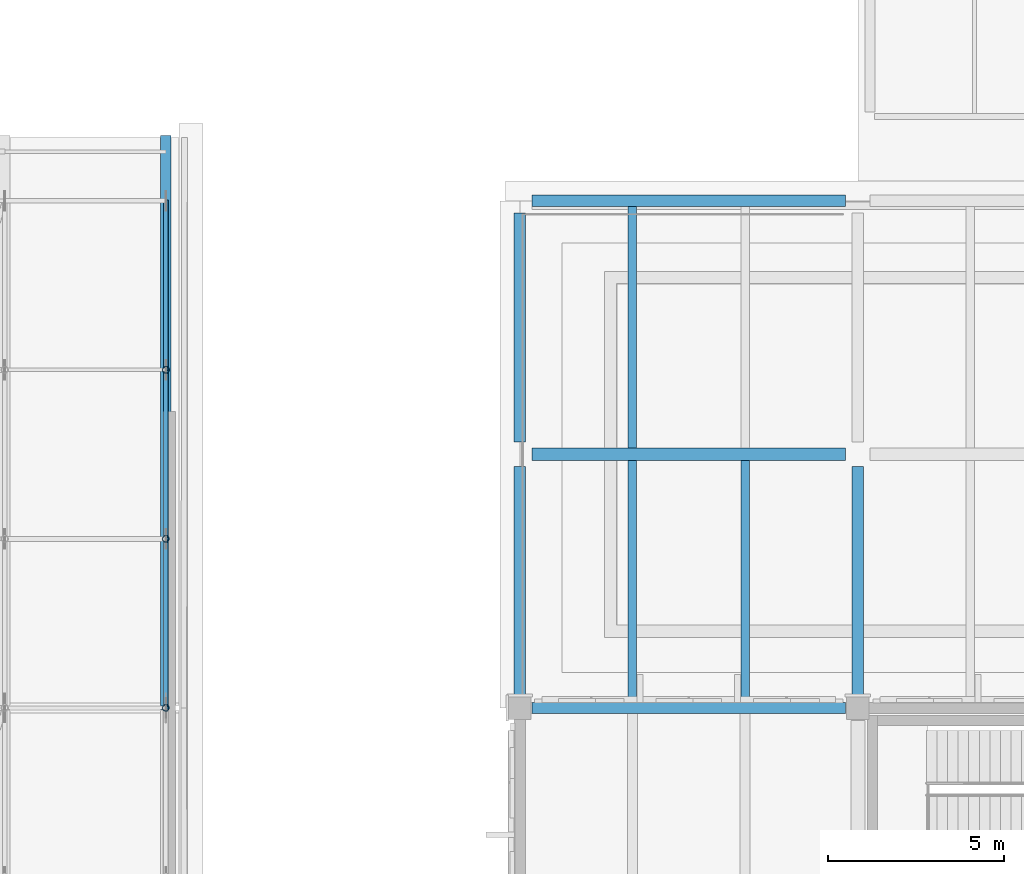
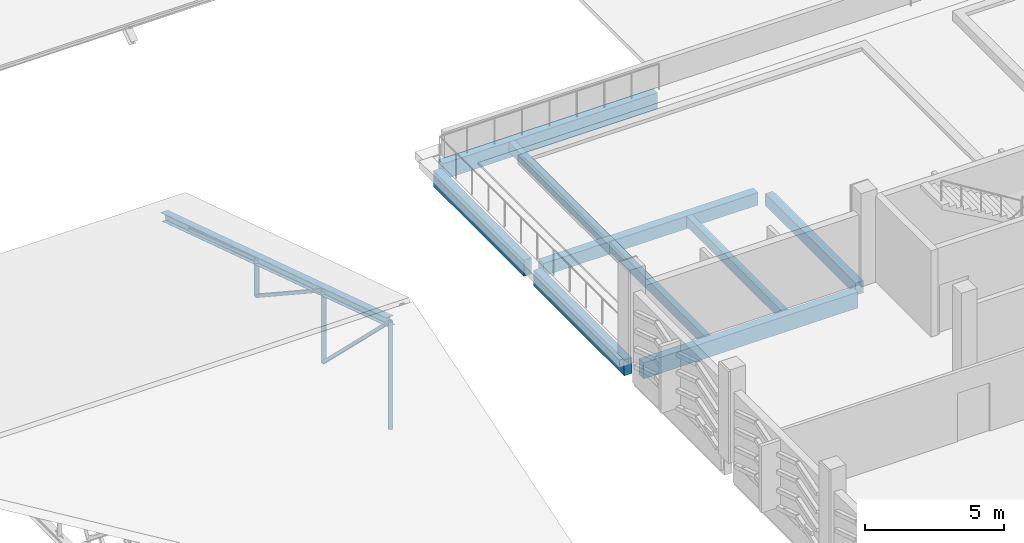
# One storey, part 33 of 134: 9 beams, 7 members.
"""IFC4 building model written with IfcOpenShell, lengths in metres."""

from ifc_helpers import new_model, si_unit, direction, frame, origin, origin_2d, place, context, subcontext, project, spatial, rectangle, hollow_rectangle, hollow_circle, i_section, extrude, material, material_profile, profile_set, type_object, element, save


model = new_model("IFC4")

# Units and contexts
model_context = context("Model", 3, precision=1e-05, world=origin(), true_north=direction((0.0, 1.0)))
body_context = subcontext(model_context, "Body", "Model", "MODEL_VIEW")
ifc_project = project(units=[si_unit("LENGTHUNIT", "METRE"), si_unit("AREAUNIT", "SQUARE_METRE"), si_unit("VOLUMEUNIT", "CUBIC_METRE"), si_unit("PLANEANGLEUNIT", "RADIAN"), si_unit("MASSUNIT", "GRAM", prefix="KILO")], contexts=[model_context])

# Site, building, storey
site_placement = place(None, origin())
site = spatial("IfcSite", under=ifc_project, at=site_placement, CompositionType="ELEMENT")
building_placement = place(site_placement, origin())
building = spatial("IfcBuilding", under=site, at=building_placement, Name="Asteropetra Specialist Clinic", CompositionType="ELEMENT")
storey_placement = place(building_placement, frame((0.0, 0.0, 8.5)))
storey = spatial("IfcBuildingStorey", under=building, at=storey_placement, Name="L02", CompositionType="ELEMENT", Elevation=8.5)

# Beams
ifc_material_1 = material(Name="Concrete C35/45", Category="concrete")
ifc_material_profile_1 = material_profile(ifc_material_1, rectangle(XDim=0.320068359375, YDim=0.52001953125, at=origin_2d()), Name="RCB 320x520")
ifc_profile_set_1 = profile_set([ifc_material_profile_1], Name="Concrete C35/45")
beam_type_1 = type_object("IfcBeamType", Name="BM-RC320x520", PredefinedType="BEAM", material=ifc_profile_set_1)
beam_1_placement = place(storey_placement, frame((115.199951171875, 48.35009765625, -0.570068359375), z_axis=(0.0, 1.0, 0.0), x_axis=(-1.0, 0.0, 0.0)))
element("IfcBeam", 1, at=beam_1_placement, inside=storey, type_object=beam_type_1, Name="Beam BBM11-1022", PredefinedType="BEAM", context=body_context, shape_type="SweptSolid", body=[
    extrude(rectangle(XDim=0.320068359375, YDim=0.52001953125, at=origin_2d()), origin(), (0.0, 0.0, 1.0), 6.5),
])
ifc_material_2 = material(Name="Concrete C35/45", Category="concrete")
ifc_material_profile_2 = material_profile(ifc_material_2, rectangle(XDim=0.35009765625, YDim=0.550048828125, at=origin_2d()), Name="RCB 350x550")
ifc_profile_set_2 = profile_set([ifc_material_profile_2], Name="Concrete C35/45")
beam_type_2 = type_object("IfcBeamType", Name="BM-RC350x550", PredefinedType="BEAM", material=ifc_profile_set_2)
beam_2_placement = place(storey_placement, frame((105.949951171875, 55.199951171875, -0.5849609375), z_axis=(1.0, 0.0, 0.0), x_axis=(0.0, 1.0, 0.0)))
element("IfcBeam", 2, at=beam_2_placement, inside=storey, type_object=beam_type_2, Name="Beam BBM10-1011", PredefinedType="BEAM", context=body_context, shape_type="SweptSolid", body=[
    extrude(rectangle(XDim=0.35009765625, YDim=0.550048828125, at=origin_2d()), origin(), (0.0, 0.0, 1.0), 8.900146484375),
])
ifc_material_3 = material(Name="Concrete C35/45", Category="concrete")
ifc_material_profile_3 = material_profile(ifc_material_3, rectangle(XDim=0.239990234375, YDim=0.449951171875, at=origin_2d()), Name="RCJ 240x450")
ifc_profile_set_3 = profile_set([ifc_material_profile_3], Name="Concrete C35/45")
beam_type_3 = type_object("IfcBeamType", Name="JST-RC240x450", PredefinedType="JOIST", material=ifc_profile_set_3)
for number, where, z_axis, x_axis, name in (
    (3, (108.800048828125, 48.159912109375, -0.534912109375), (0.0, 1.0, 0.0), (-1.0, 0.0, 0.0), "Joist JJST03-1027"),
    (4, (112.0, 48.159912109375, -0.534912109375), (0.0, 1.0, 0.0), (-1.0, 0.0, 0.0), "Joist JJST03-1028"),
    (5, (108.800048828125, 55.375, -0.534912109375), (0.0, 1.0, 0.0), (-1.0, 0.0, 0.0), "Joist JJST03-1043"),
):
    element("IfcBeam", number, at=place(storey_placement, frame(where, z_axis=z_axis, x_axis=x_axis)), inside=storey, type_object=beam_type_3, Name=name, PredefinedType="JOIST", context=body_context, shape_type="SweptSolid", body=[
        extrude(rectangle(XDim=0.239990234375, YDim=0.449951171875, at=origin_2d()), origin(), (0.0, 0.0, 1.0), 6.864990234375),
    ])
ifc_material_4 = material(Name="Concrete C35/45", Category="concrete")
ifc_material_profile_4 = material_profile(ifc_material_4, rectangle(XDim=0.320068359375, YDim=0.699951171875, at=origin_2d()), Name="RCS 320x700")
ifc_profile_set_4 = profile_set([ifc_material_profile_4], Name="Concrete C35/45")
beam_type_4 = type_object("IfcBeamType", Name="SPN-RC320x700", PredefinedType="SPANDREL", material=ifc_profile_set_4)
for number, where, z_axis, x_axis, name in (
    (6, (105.949951171875, 48.0, -0.659912109375), (1.0, 0.0, 0.0), (0.0, 1.0, 0.0), "Beam BSPN02-1006"),
    (7, (105.949951171875, 62.39990234375, -0.659912109375), (1.0, 0.0, 0.0), (0.0, 1.0, 0.0), "Beam BSPN02-1016"),
):
    element("IfcBeam", number, at=place(storey_placement, frame(where, z_axis=z_axis, x_axis=x_axis)), inside=storey, type_object=beam_type_4, Name=name, PredefinedType="SPANDREL", context=body_context, shape_type="SweptSolid", body=[
        extrude(rectangle(XDim=0.320068359375, YDim=0.699951171875, at=origin_2d()), origin(), (0.0, 0.0, 1.0), 8.900146484375),
    ])
for number, where, z_axis, x_axis, name in (
    (8, (105.60009765625, 48.35009765625, -0.659912109375), (0.0, 1.0, 0.0), (-1.0, 0.0, 0.0), "Beam BSPN02-1021"),
    (9, (105.60009765625, 55.550048828125, -0.659912109375), (0.0, 1.0, 0.0), (-1.0, 0.0, 0.0), "Beam BSPN02-1037"),
):
    element("IfcBeam", number, at=place(storey_placement, frame(where, z_axis=z_axis, x_axis=x_axis)), inside=storey, type_object=beam_type_4, Name=name, PredefinedType="SPANDREL", context=body_context, shape_type="SweptSolid", body=[
        extrude(rectangle(XDim=0.320068359375, YDim=0.699951171875, at=origin_2d()), origin(), (0.0, 0.0, 1.0), 6.5),
    ])

# Members
ifc_material_5 = material(Name="Steel S355", Category="steel")
ifc_material_profile_5 = material_profile(ifc_material_5, hollow_rectangle(XDim=0.139892578125, YDim=0.139892578125, WallThickness=0.008056640625, InnerFilletRadius=0.008056640625, OuterFilletRadius=0.01611328125, at=origin_2d()), Name="SHS 140x140x8.0")
ifc_profile_set_5 = profile_set([ifc_material_profile_5], Name="Steel S355")
member_type_1 = type_object("IfcMemberType", Name="TR-BRC-SHS140", PredefinedType="BRACE", material=ifc_profile_set_5)
member_1_placement = place(storey_placement, frame((95.550048828125, 48.0, 5.06689453125), z_axis=(0.0, 0.714372296444, -0.699765833743), x_axis=(-1.0, 0.0, 0.0)))
element("IfcMember", 10, at=member_1_placement, inside=storey, type_object=member_type_1, Name="Truss Web Diagonal TRV3-D05-3", PredefinedType="BRACE", context=body_context, shape_type="SweptSolid", body=[
    extrude(hollow_rectangle(XDim=0.139892578125, YDim=0.139892578125, WallThickness=0.008056640625, InnerFilletRadius=0.008056640625, OuterFilletRadius=0.01611328125, at=origin_2d()), origin(), (0.0, 0.0, 1.0), 6.71923828125),
])
member_2_placement = place(storey_placement, frame((95.550048828125, 52.800048828125, 3.526123046875), z_axis=(0.0, 0.835160870884, -0.550005745192), x_axis=(-1.0, 0.0, 0.0)))
element("IfcMember", 11, at=member_2_placement, inside=storey, type_object=member_type_1, Name="Truss Web Diagonal TRV3-D05-4", PredefinedType="BRACE", context=body_context, shape_type="SweptSolid", body=[
    extrude(hollow_rectangle(XDim=0.139892578125, YDim=0.139892578125, WallThickness=0.008056640625, InnerFilletRadius=0.008056640625, OuterFilletRadius=0.01611328125, at=origin_2d()), origin(), (0.0, 0.0, 1.0), 5.74755859375),
])
member_3_placement = place(storey_placement, frame((95.550048828125, 57.60009765625, 1.9853515625), z_axis=(0.0, 0.94746672286, -0.319854356034), x_axis=(-1.0, 0.0, 0.0)))
element("IfcMember", 12, at=member_3_placement, inside=storey, type_object=member_type_1, Name="Truss Web Diagonal TRV3-D05-5", PredefinedType="BRACE", context=body_context, shape_type="SweptSolid", body=[
    extrude(hollow_rectangle(XDim=0.139892578125, YDim=0.139892578125, WallThickness=0.008056640625, InnerFilletRadius=0.008056640625, OuterFilletRadius=0.01611328125, at=origin_2d()), origin(), (0.0, 0.0, 1.0), 5.06591796875),
])
ifc_material_6 = material(Name="Steel S355", Category="steel")
ifc_material_profile_6 = material_profile(ifc_material_6, i_section(OverallWidth=0.300048828125, OverallDepth=0.35009765625, WebThickness=0.010009765625, FlangeThickness=0.017578125, FilletRadius=0.027099609375, at=origin_2d()), Name="HEA 360")
ifc_profile_set_6 = profile_set([ifc_material_profile_6], Name="Steel S355")
member_type_2 = type_object("IfcMemberType", Name="TR-CHD-HEA360", PredefinedType="CHORD", material=ifc_profile_set_6)
member_4_placement = place(storey_placement, frame((95.550048828125, 48.0, 5.06689453125), z_axis=(0.0, 0.952147182359, -0.305639891255), x_axis=(-1.0, 0.0, 0.0)))
element("IfcMember", 13, at=member_4_placement, inside=storey, type_object=member_type_2, Name="Truss North Top Chord TRV3-TCN05", PredefinedType="CHORD", context=body_context, shape_type="SweptSolid", body=[
    extrude(i_section(OverallWidth=0.300048828125, OverallDepth=0.35009765625, WebThickness=0.010009765625, FlangeThickness=0.017578125, FilletRadius=0.027099609375, at=origin_2d()), origin(), (0.0, 0.0, 1.0), 17.01416015625),
])
ifc_material_7 = material(Name="Steel S355", Category="steel")
ifc_material_profile_7 = material_profile(ifc_material_7, hollow_circle(Radius=0.096923828125, WallThickness=0.010009765625, at=origin_2d()), Name="CHS 193.7x10.0")
ifc_profile_set_7 = profile_set([ifc_material_profile_7], Name="Steel S355")
member_type_3 = type_object("IfcMemberType", Name="TR-STR-CHS193", PredefinedType="STRUT", material=ifc_profile_set_7)
member_5_placement = place(storey_placement, frame((95.550048828125, 48.0, 0.364990234375), z_axis=(0.0, 0.0, 1.0), x_axis=(1.0, 0.0, 0.0)))
element("IfcMember", 14, at=member_5_placement, inside=storey, type_object=member_type_3, Name="Truss Web Strut TRV3-V05-3", PredefinedType="STRUT", context=body_context, shape_type="SweptSolid", body=[
    extrude(hollow_circle(Radius=0.096923828125, WallThickness=0.010009765625, at=origin_2d()), origin(), (0.0, 0.0, 1.0), 4.701904296875),
])
member_6_placement = place(storey_placement, frame((95.550048828125, 52.800048828125, 0.364990234375), z_axis=(0.0, 0.0, 1.0), x_axis=(1.0, 0.0, 0.0)))
element("IfcMember", 15, at=member_6_placement, inside=storey, type_object=member_type_3, Name="Truss Web Strut TRV3-V05-4", PredefinedType="STRUT", context=body_context, shape_type="SweptSolid", body=[
    extrude(hollow_circle(Radius=0.096923828125, WallThickness=0.010009765625, at=origin_2d()), origin(), (0.0, 0.0, 1.0), 3.1611328125),
])
member_7_placement = place(storey_placement, frame((95.550048828125, 57.60009765625, 0.364990234375), z_axis=(0.0, 0.0, 1.0), x_axis=(1.0, 0.0, 0.0)))
element("IfcMember", 16, at=member_7_placement, inside=storey, type_object=member_type_3, Name="Truss Web Strut TRV3-V05-5", PredefinedType="STRUT", context=body_context, shape_type="SweptSolid", body=[
    extrude(hollow_circle(Radius=0.096923828125, WallThickness=0.010009765625, at=origin_2d()), origin(), (0.0, 0.0, 1.0), 1.620361328125),
])

save(model, "model.ifc")
